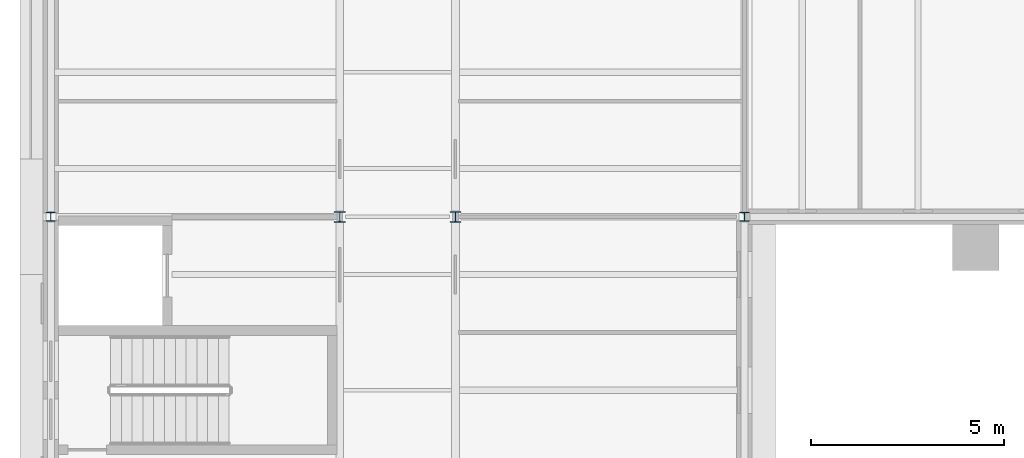
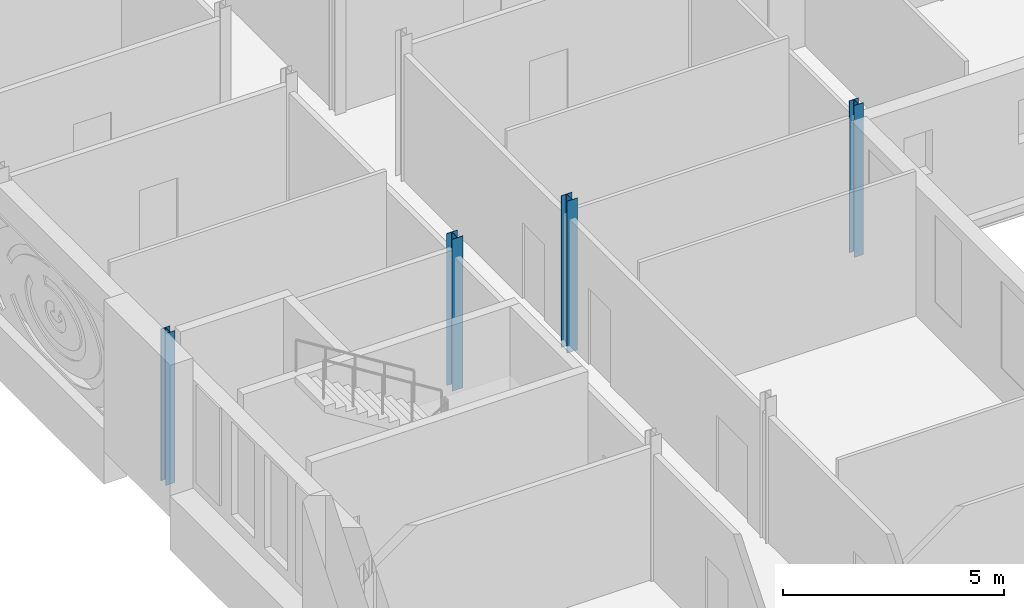
# One storey, part 5 of 121: 4 columns.
"""IFC4 building model written with IfcOpenShell, lengths in metres."""

from ifc_helpers import new_model, si_unit, direction, frame, origin, origin_2d, place, context, subcontext, project, spatial, i_section, extrude, material, material_profile, profile_set, type_object, element, save


model = new_model("IFC4")

# Units and contexts
model_context = context("Model", 3, precision=1e-05, world=origin(), true_north=direction((0.0, 1.0)))
body_context = subcontext(model_context, "Body", "Model", "MODEL_VIEW")
ifc_project = project(units=[si_unit("LENGTHUNIT", "METRE"), si_unit("AREAUNIT", "SQUARE_METRE"), si_unit("VOLUMEUNIT", "CUBIC_METRE"), si_unit("PLANEANGLEUNIT", "RADIAN"), si_unit("MASSUNIT", "GRAM", prefix="KILO")], contexts=[model_context])

# Site, building, storey
site_placement = place(None, origin())
site = spatial("IfcSite", under=ifc_project, at=site_placement, CompositionType="ELEMENT")
building_placement = place(site_placement, origin())
building = spatial("IfcBuilding", under=site, at=building_placement, Name="Golden Quay Civic Hall", CompositionType="ELEMENT")
storey_placement = place(building_placement, frame((0.0, 0.0, 18.60009765625)))
storey = spatial("IfcBuildingStorey", under=building, at=storey_placement, Name="L04", CompositionType="ELEMENT", Elevation=18.60009765625)

# Columns
ifc_material_1 = material(Name="Steel S355", Category="steel")
ifc_material_profile_1 = material_profile(ifc_material_1, i_section(OverallWidth=0.239990234375, OverallDepth=0.22998046875, WebThickness=0.007568359375, FlangeThickness=0.011962890625, FilletRadius=0.02099609375, at=origin_2d()), Name="HEA 240")
ifc_profile_set_1 = profile_set([ifc_material_profile_1], Name="Steel S355")
column_type_1 = type_object("IfcColumnType", Name="Steel column HEA 240", PredefinedType="COLUMN", material=ifc_profile_set_1)
for number, where, z_axis, x_axis, name in (
    (1, (0.0, 63.0, -0.2001953125), (0.0, 0.0, 1.0), (1.0, 0.0, 0.0), "Column 0/63 L04"),
    (2, (18.0, 63.0, -0.2001953125), (0.0, 0.0, 1.0), (1.0, 0.0, 0.0), "Column 18/63 L04"),
):
    element("IfcColumn", number, at=place(storey_placement, frame(where, z_axis=z_axis, x_axis=x_axis)), inside=storey, type_object=column_type_1, Name=name, PredefinedType="COLUMN", context=body_context, shape_type="SweptSolid", body=[
        extrude(i_section(OverallWidth=0.239990234375, OverallDepth=0.22998046875, WebThickness=0.007568359375, FlangeThickness=0.011962890625, FilletRadius=0.02099609375, at=origin_2d()), origin(), (0.0, 0.0, 1.0), 4.2001953125),
    ])
ifc_material_2 = material(Name="Steel S355", Category="steel")
ifc_material_profile_2 = material_profile(ifc_material_2, i_section(OverallWidth=0.280029296875, OverallDepth=0.27001953125, WebThickness=0.008056640625, FlangeThickness=0.012939453125, FilletRadius=0.02392578125, at=origin_2d()), Name="HEA 280")
ifc_profile_set_2 = profile_set([ifc_material_profile_2], Name="Steel S355")
column_type_2 = type_object("IfcColumnType", Name="Steel column HEA 280", PredefinedType="COLUMN", material=ifc_profile_set_2)
for number, where, z_axis, x_axis, name in (
    (3, (7.5, 63.0, -0.2001953125), (0.0, 0.0, 1.0), (1.0, 0.0, 0.0), "Column 7.5/63 L04"),
    (4, (10.5, 63.0, -0.2001953125), (0.0, 0.0, 1.0), (1.0, 0.0, 0.0), "Column 10.5/63 L04"),
):
    element("IfcColumn", number, at=place(storey_placement, frame(where, z_axis=z_axis, x_axis=x_axis)), inside=storey, type_object=column_type_2, Name=name, PredefinedType="COLUMN", context=body_context, shape_type="SweptSolid", body=[
        extrude(i_section(OverallWidth=0.280029296875, OverallDepth=0.27001953125, WebThickness=0.008056640625, FlangeThickness=0.012939453125, FilletRadius=0.02392578125, at=origin_2d()), origin(), (0.0, 0.0, 1.0), 4.2001953125),
    ])

save(model, "model.ifc")
